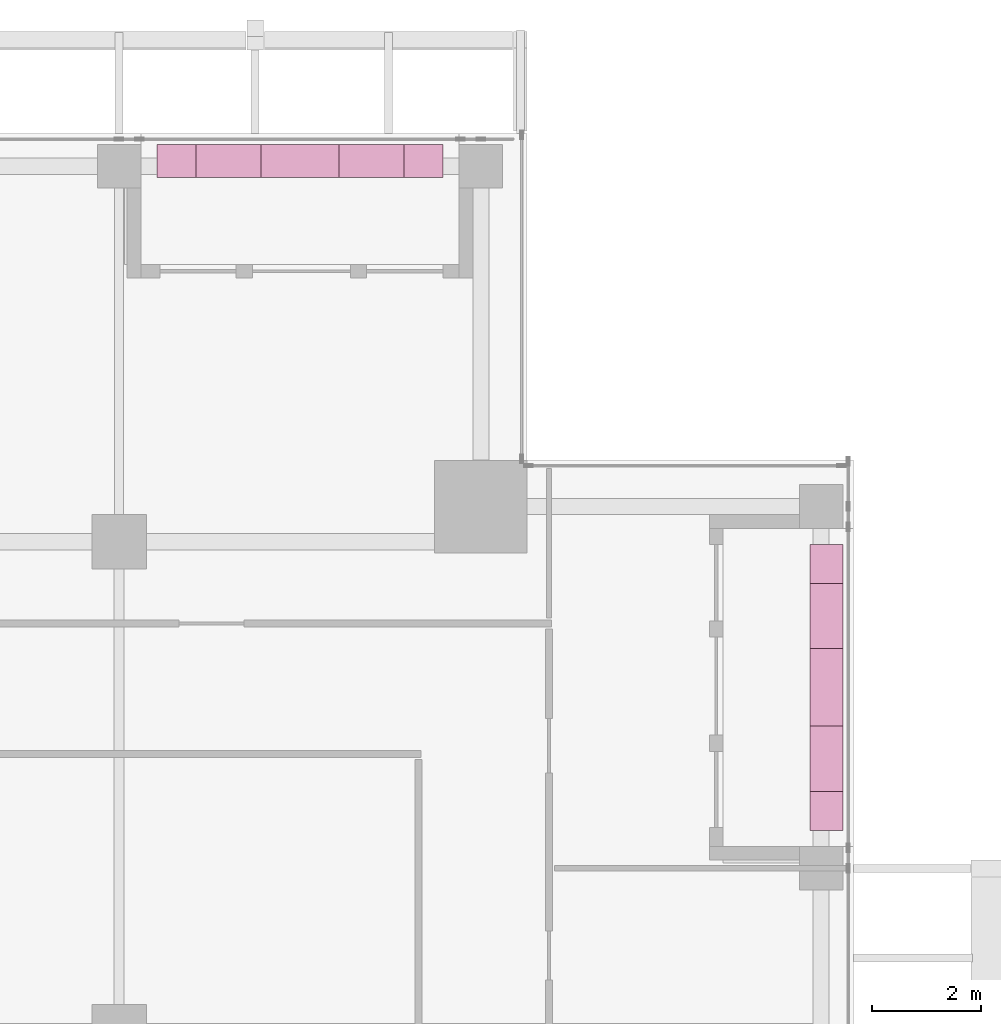
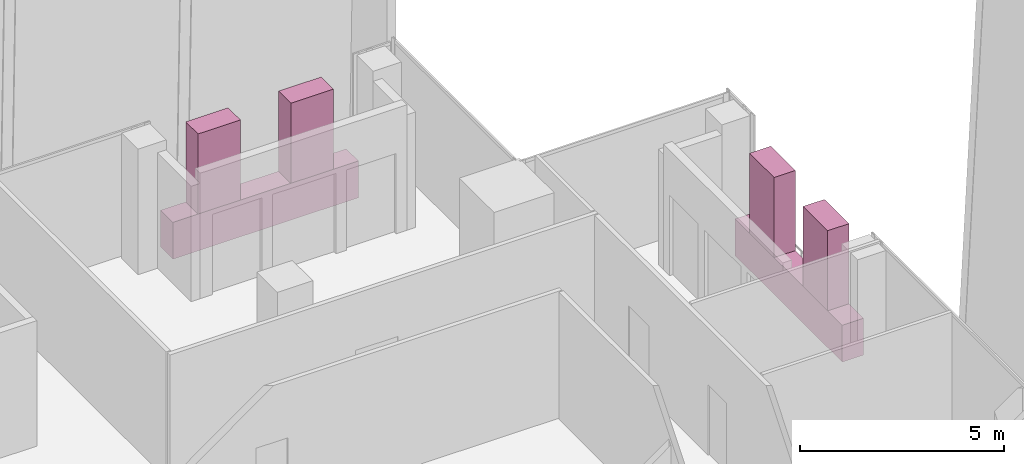
# One storey, part 32 of 32: 6 furnishings.
"""IFC4 building model written with IfcOpenShell, lengths in metres."""

from ifc_helpers import new_model, si_unit, direction, frame, origin, origin_2d, place, context, subcontext, project, spatial, rectangle, extrude, source, transform, mapped, material, type_object, element, save


model = new_model("IFC4")

# Units and contexts
model_context = context("Model", 3, precision=1e-05, world=origin(), true_north=direction((0.0, 1.0)))
body_context = subcontext(model_context, "Body", "Model", "MODEL_VIEW")
ifc_project = project(units=[si_unit("LENGTHUNIT", "METRE"), si_unit("AREAUNIT", "SQUARE_METRE"), si_unit("VOLUMEUNIT", "CUBIC_METRE"), si_unit("PLANEANGLEUNIT", "RADIAN"), si_unit("MASSUNIT", "GRAM", prefix="KILO")], contexts=[model_context])

# Site, building, storey
site_placement = place(None, origin())
site = spatial("IfcSite", under=ifc_project, at=site_placement, CompositionType="ELEMENT")
building_placement = place(site_placement, origin())
building = spatial("IfcBuilding", under=site, at=building_placement, Name="Khomas Fold Tower", CompositionType="ELEMENT")
storey_placement = place(building_placement, frame((0.0, 0.0, 306.199951171875)))
storey = spatial("IfcBuildingStorey", under=building, at=storey_placement, Name="L69", CompositionType="ELEMENT", Elevation=306.199951171875)

# Furnishings
ifc_material_1 = material(Name="Planting")
furnishing_element_type_1 = type_object("IfcFurnishingElementType", Name="BL-Tree Karee", material=ifc_material_1)
shared_shape_1 = source(origin(), body_context, "Body", "SweptSolid", [
    extrude(rectangle(XDim=1.199951171875, YDim=0.60009765625, at=origin_2d()), origin(), (0.0, 0.0, 1.0), 2.39501953125),
])
furnishing_1_placement = place(storey_placement, frame((47.5, 36.512451171875, 1.054931640625), z_axis=(0.0, 0.0, 1.0), x_axis=(0.0, 1.0, 0.0)))
element("IfcFurnishingElement", 1, at=furnishing_1_placement, inside=storey, type_object=furnishing_element_type_1, Name="PLANTER (TREE) Karee BAL-L69-E4-1", context=body_context, shape_type="MappedRepresentation", body=[
    mapped(shared_shape_1, transform((0.0, 0.0, 0.0))),
])
ifc_material_2 = material(Name="Planting")
furnishing_element_type_2 = type_object("IfcFurnishingElementType", Name="BL-Tree Wild olive", material=ifc_material_2)
furnishing_2_placement = place(storey_placement, frame((47.5, 39.137451171875, 1.054931640625), z_axis=(0.0, 0.0, 1.0), x_axis=(0.0, 1.0, 0.0)))
element("IfcFurnishingElement", 2, at=furnishing_2_placement, inside=storey, type_object=furnishing_element_type_2, Name="PLANTER (TREE) Wild olive BAL-L69-E4-2", context=body_context, shape_type="MappedRepresentation", body=[
    mapped(shared_shape_1, transform((0.0, 0.0, 0.0))),
])
furnishing_3_placement = place(storey_placement, frame((36.512451171875, 47.5, 1.054931640625), z_axis=(0.0, 0.0, 1.0), x_axis=(1.0, 0.0, 0.0)))
element("IfcFurnishingElement", 3, at=furnishing_3_placement, inside=storey, type_object=furnishing_element_type_1, Name="PLANTER (TREE) Karee BAL-L69-N4-1", context=body_context, shape_type="MappedRepresentation", body=[
    mapped(shared_shape_1, transform((0.0, 0.0, 0.0))),
])
furnishing_4_placement = place(storey_placement, frame((39.137451171875, 47.5, 1.054931640625), z_axis=(0.0, 0.0, 1.0), x_axis=(1.0, 0.0, 0.0)))
element("IfcFurnishingElement", 4, at=furnishing_4_placement, inside=storey, type_object=furnishing_element_type_2, Name="PLANTER (TREE) Wild olive BAL-L69-N4-2", context=body_context, shape_type="MappedRepresentation", body=[
    mapped(shared_shape_1, transform((0.0, 0.0, 0.0))),
])
ifc_material_3 = material(Name="Precast concrete C40/50", Category="concrete")
furnishing_element_type_3 = type_object("IfcFurnishingElementType", Name="BL-Structural planter box", material=ifc_material_3)
shared_shape_2 = source(origin(), body_context, "Body", "SweptSolid", [
    extrude(rectangle(XDim=5.25, YDim=0.60009765625, at=origin_2d()), origin(), (0.0, 0.0, 1.0), 1.10009765625),
])
for number, where, z_axis, x_axis, name in (
    (5, (47.5, 37.824951171875, -0.044921875), (0.0, 0.0, 1.0), (0.0, 1.0, 0.0), "PLANTER BAL-L69-E4"),
    (6, (37.824951171875, 47.5, -0.044921875), (0.0, 0.0, 1.0), (1.0, 0.0, 0.0), "PLANTER BAL-L69-N4"),
):
    element("IfcFurnishingElement", number, at=place(storey_placement, frame(where, z_axis=z_axis, x_axis=x_axis)), inside=storey, type_object=furnishing_element_type_3, Name=name, context=body_context, shape_type="MappedRepresentation", body=[
        mapped(shared_shape_2, transform((0.0, 0.0, 0.0))),
    ])

save(model, "model.ifc")
